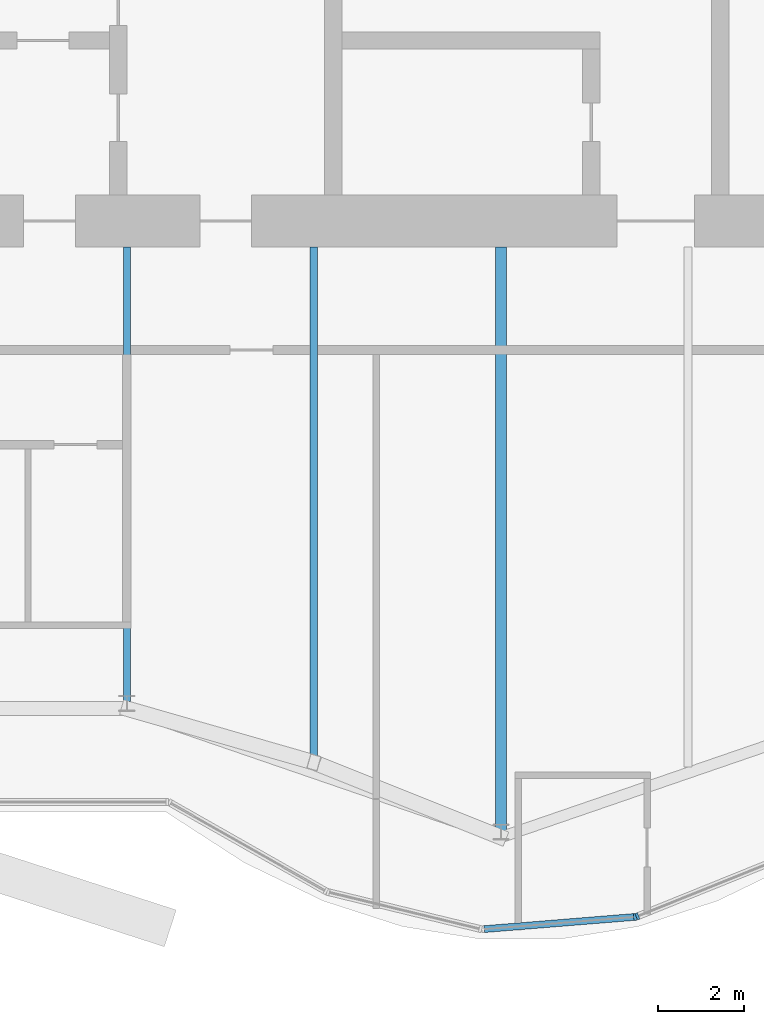
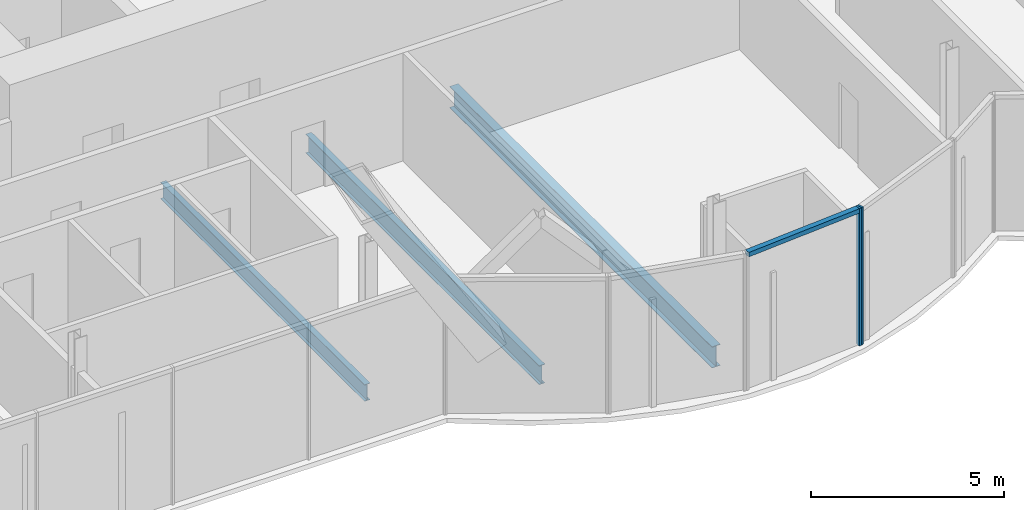
# One storey, part 8 of 22: 3 beams, 3 members, 1 element without a shape of its own.
"""IFC4 building model written with IfcOpenShell, lengths in metres."""

from ifc_helpers import new_model, si_unit, direction, frame, origin, origin_2d, place, context, subcontext, project, spatial, rectangle, i_section, extrude, material, material_profile, profile_set, type_object, element, aggregate, save


model = new_model("IFC4")

# Units and contexts
model_context = context("Model", 3, precision=1e-05, world=origin(), true_north=direction((0.0, 1.0)))
body_context = subcontext(model_context, "Body", "Model", "MODEL_VIEW")
ifc_project = project(units=[si_unit("LENGTHUNIT", "METRE"), si_unit("AREAUNIT", "SQUARE_METRE"), si_unit("VOLUMEUNIT", "CUBIC_METRE"), si_unit("PLANEANGLEUNIT", "RADIAN"), si_unit("MASSUNIT", "GRAM", prefix="KILO")], contexts=[model_context])

# Site, building, storey
site_placement = place(None, origin())
site = spatial("IfcSite", under=ifc_project, at=site_placement, CompositionType="ELEMENT")
building_placement = place(site_placement, origin())
building = spatial("IfcBuilding", under=site, at=building_placement, Name="Bicima Exchange Tower", CompositionType="ELEMENT")
storey_placement = place(building_placement, frame((0.0, 0.0, 315.5)))
storey = spatial("IfcBuildingStorey", under=building, at=storey_placement, Name="L71", CompositionType="ELEMENT", Elevation=315.5)

# Beams
ifc_material_1 = material(Name="Steel ASTM A992 Gr 50", Category="steel")
ifc_material_profile_1 = material_profile(ifc_material_1, i_section(OverallWidth=0.165771484375, OverallDepth=0.5283203125, WebThickness=0.009765625, FlangeThickness=0.013671875, at=origin_2d()))
ifc_profile_set_1 = profile_set([ifc_material_profile_1], Name="Steel ASTM A992 Gr 50")
beam_type_1 = type_object("IfcBeamType", Name="Floor beam W21x50", PredefinedType="JOIST", material=ifc_profile_set_1)
beam_1_placement = place(storey_placement, frame((-17.39990234375, -13.0, -0.414306640625), z_axis=(0.0, -1.0, 0.0), x_axis=(1.0, 0.0, 0.0)))
element("IfcBeam", 1, at=beam_1_placement, inside=storey, type_object=beam_type_1, Name="Floor beam", PredefinedType="JOIST", context=body_context, shape_type="SweptSolid", body=[
    extrude(i_section(OverallWidth=0.165771484375, OverallDepth=0.5283203125, WebThickness=0.009765625, FlangeThickness=0.013671875, at=origin_2d()), origin(), (0.0, 0.0, 1.0), 10.577392578125),
])
ifc_material_profile_2 = material_profile(ifc_material_1, i_section(OverallWidth=0.177978515625, OverallDepth=0.599365234375, WebThickness=0.010009765625, FlangeThickness=0.012939453125, at=origin_2d()))
ifc_profile_set_2 = profile_set([ifc_material_profile_2], Name="Steel ASTM A992 Gr 50")
beam_type_2 = type_object("IfcBeamType", Name="Floor beam W24x55", PredefinedType="JOIST", material=ifc_profile_set_2)
beam_2_placement = place(storey_placement, frame((-13.050048828125, -13.0, -0.44970703125), z_axis=(0.0, -1.0, 0.0), x_axis=(1.0, 0.0, 0.0)))
element("IfcBeam", 2, at=beam_2_placement, inside=storey, type_object=beam_type_2, Name="Floor beam", PredefinedType="JOIST", context=body_context, shape_type="SweptSolid", body=[
    extrude(i_section(OverallWidth=0.177978515625, OverallDepth=0.599365234375, WebThickness=0.010009765625, FlangeThickness=0.012939453125, at=origin_2d()), origin(), (0.0, 0.0, 1.0), 12.099853515625),
])
ifc_material_profile_3 = material_profile(ifc_material_1, i_section(OverallWidth=0.25390625, OverallDepth=0.67822265625, WebThickness=0.01171875, FlangeThickness=0.016357421875, at=origin_2d()))
ifc_profile_set_3 = profile_set([ifc_material_profile_3], Name="Steel ASTM A992 Gr 50")
beam_type_3 = type_object("IfcBeamType", Name="Floor beam W27x84", PredefinedType="JOIST", material=ifc_profile_set_3)
beam_3_placement = place(storey_placement, frame((-8.699951171875, -13.0, -0.489013671875), z_axis=(0.0, -1.0, 0.0), x_axis=(1.0, 0.0, 0.0)))
element("IfcBeam", 3, at=beam_3_placement, inside=storey, type_object=beam_type_3, Name="Floor beam", PredefinedType="JOIST", context=body_context, shape_type="SweptSolid", body=[
    extrude(i_section(OverallWidth=0.25390625, OverallDepth=0.67822265625, WebThickness=0.01171875, FlangeThickness=0.016357421875, at=origin_2d()), origin(), (0.0, 0.0, 1.0), 13.595458984375),
])

# Curtain wall, members
ifc_material_2 = material(Name="Anodised bronze aluminium", Category="aluminium")
curtain_wall_type = type_object("IfcCurtainWallType", Name="Front glass wall", PredefinedType="NOTDEFINED", material=ifc_material_2)
curtain_wall_placement = place(storey_placement, origin())
curtain_wall = element("IfcCurtainWall", 4, at=curtain_wall_placement, inside=storey, type_object=curtain_wall_type, Name="Front glass wall L71 run 6", PredefinedType="NOTDEFINED")
ifc_material_profile_4 = material_profile(ifc_material_2, rectangle(XDim=0.159912109375, YDim=0.06005859375, at=origin_2d()))
ifc_profile_set_4 = profile_set([ifc_material_profile_4], Name="Anodised bronze aluminium")
member_type_1 = type_object("IfcMemberType", Name="Front glass wall mullion 60 x 160", PredefinedType="MULLION", material=ifc_profile_set_4)
member_1_placement = place(storey_placement, frame((-5.583984375, -28.584716796875, 0.0), z_axis=(0.0, 0.0, 1.0), x_axis=(-0.080588612633, 0.99674744821, 0.0)))
member_1 = element("IfcMember", 5, at=member_1_placement, type_object=member_type_1, Name="Front glass wall mullion 2", PredefinedType="MULLION", context=body_context, shape_type="SweptSolid", body=[
    extrude(rectangle(XDim=0.159912109375, YDim=0.06005859375, at=origin_2d()), origin(), (0.0, 0.0, 1.0), 4.35009765625),
])
member_2_placement = place(storey_placement, frame((-5.526123046875, -28.5712890625, 0.0), z_axis=(0.0, 0.0, 1.0), x_axis=(-0.374705304, 0.92714396679, 0.0)))
member_2 = element("IfcMember", 6, at=member_2_placement, type_object=member_type_1, Name="Front glass wall mullion 1", PredefinedType="MULLION", context=body_context, shape_type="SweptSolid", body=[
    extrude(rectangle(XDim=0.159912109375, YDim=0.06005859375, at=origin_2d()), origin(), (0.0, 0.0, 1.0), 4.35009765625),
])
ifc_material_profile_5 = material_profile(ifc_material_2, rectangle(XDim=0.159912109375, YDim=0.139892578125, at=origin_2d()))
ifc_profile_set_5 = profile_set([ifc_material_profile_5], Name="Anodised bronze aluminium")
member_type_2 = type_object("IfcMemberType", Name="Front glass wall transom 140 x 160", PredefinedType="USERDEFINED", material=ifc_profile_set_5)
member_3_placement = place(storey_placement, frame((-9.08837890625, -28.8681640625, 4.280029296875), z_axis=(0.9967456465, 0.080610893699, 0.0), x_axis=(-0.080610893699, 0.9967456465, 0.0)))
member_3 = element("IfcMember", 7, at=member_3_placement, type_object=member_type_2, Name="Front glass wall transom 1.1", ObjectType="TRANSOM", PredefinedType="USERDEFINED", context=body_context, shape_type="SweptSolid", body=[
    extrude(rectangle(XDim=0.159912109375, YDim=0.139892578125, at=origin_2d()), origin(), (0.0, 0.0, 1.0), 3.48583984375),
])
aggregate(curtain_wall, [member_1, member_3, member_2])

save(model, "model.ifc")
